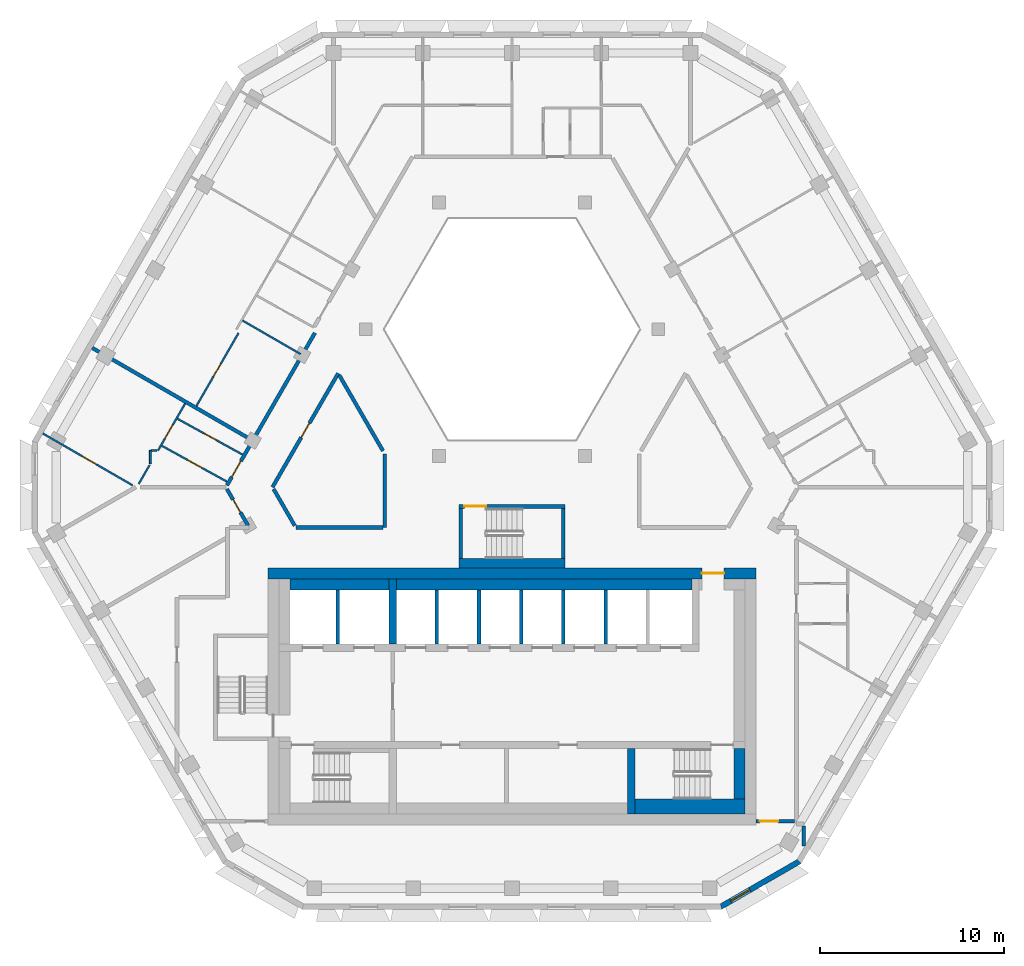
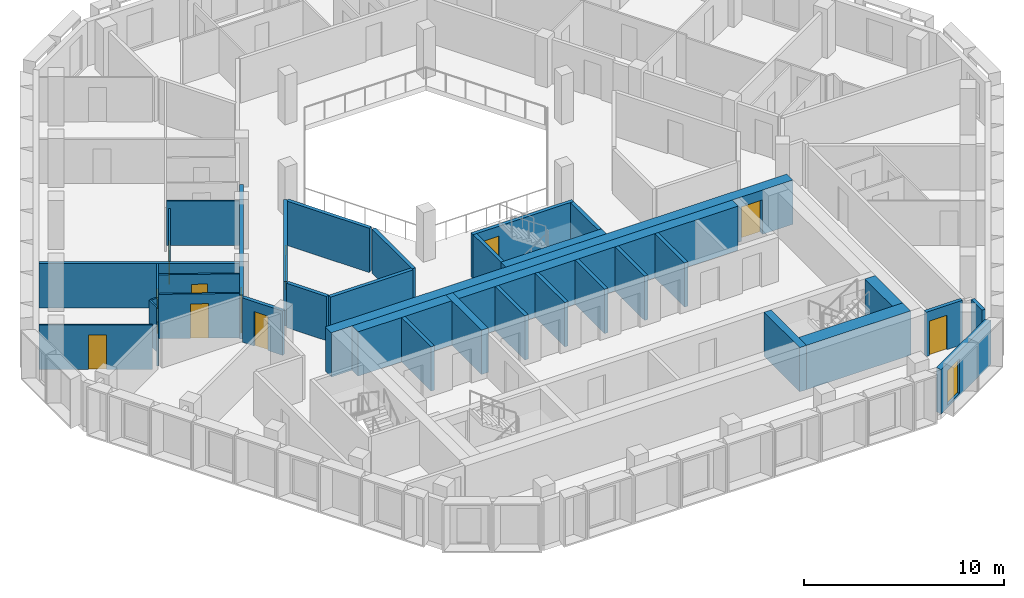
# One storey, part 4 of 14: 37 walls, 11 doors, 1 window, 12 openings.
"""IFC4 building model written with IfcOpenShell, lengths in metres."""

import ifcopenshell
import ifcopenshell.guid

model = None  # the IFC model being written
_history = None  # IfcOwnerHistory: only IFC2X3 demands one
_inside = {}  # id of a spatial element -> (the spatial element, [elements in it])
_under = {}  # id of a project, library or spatial element -> (it, [spatial elements below it])
_declared = {}  # id of a project -> (the project, [libraries it declares])
_typed = {}  # id of a type object -> (the type object, [elements of that type])
_made_of = {}  # id of a material, layer set ... -> (it, [elements and type objects made of it])


def new_model(schema):
    """Start an empty IFC model of exactly this schema.

    Asked for "IFC4X3", IfcOpenShell would pick the latest addendum, in which some entities
    have other attributes; the version numbers below select the first issue.
    IFC2X3 requires an IfcOwnerHistory on every rooted entity: one is made here for all.
    """
    global model, _history
    if schema == "IFC4X3":
        model = ifcopenshell.file(schema_version=(4, 3, 0, 0))
    else:
        model = ifcopenshell.file(schema=schema)
    _inside.clear()
    _under.clear()
    _declared.clear()
    _typed.clear()
    _made_of.clear()
    _history = None
    if model.schema == "IFC2X3":
        org = make("IfcOrganization", Name="unknown")
        user = make(
            "IfcPersonAndOrganization",
            ThePerson=make("IfcPerson", FamilyName="unknown"),
            TheOrganization=org,
        )
        app = make(
            "IfcApplication",
            ApplicationDeveloper=org,
            Version="unknown",
            ApplicationFullName="unknown",
            ApplicationIdentifier="unknown",
        )
        _history = make(
            "IfcOwnerHistory",
            OwningUser=user,
            OwningApplication=app,
            ChangeAction="ADDED",
            CreationDate=0,
        )
    return model


def make(cls, **values):
    """One entity of the class cls with the attributes given. An attribute that is None is left unset."""
    return model.create_entity(
        cls, **{name: value for name, value in values.items() if value is not None}
    )


def rooted(cls, **values):
    """An entity with a GlobalId (a new one), such as an element, a storey or a relation."""
    return make(cls, GlobalId=ifcopenshell.guid.new(), OwnerHistory=_history, **values)


def si_unit(unit_type, name, prefix=None):
    """IfcSIUnit, for example si_unit("LENGTHUNIT", "METRE", prefix="MILLI")."""
    return make("IfcSIUnit", UnitType=unit_type, Prefix=prefix, Name=name)


def assignment(units):
    """IfcUnitAssignment: the units of a project."""
    return None if units is None else make("IfcUnitAssignment", Units=units)


def point(xyz):
    """IfcCartesianPoint."""
    return None if xyz is None else make("IfcCartesianPoint", Coordinates=xyz)


def direction(xyz):
    """IfcDirection."""
    return None if xyz is None else make("IfcDirection", DirectionRatios=xyz)


def frame(location, z_axis=None, x_axis=None):
    """IfcAxis2Placement3D, a coordinate frame: its origin and axes. An axis left out is left unset."""
    return make(
        "IfcAxis2Placement3D",
        Location=point(location),
        Axis=direction(z_axis),
        RefDirection=direction(x_axis),
    )


def frame_2d(location, x_axis=None):
    """IfcAxis2Placement2D, a coordinate frame in the plane: its origin and x axis."""
    return make(
        "IfcAxis2Placement2D", Location=point(location), RefDirection=direction(x_axis)
    )


def origin():
    """The frame at (0, 0, 0) with its axes left unset."""
    return frame((0.0, 0.0, 0.0))


def place(relative_to, where):
    """IfcLocalPlacement: puts the frame where relative to a parent placement (None: the world)."""
    return make(
        "IfcLocalPlacement", PlacementRelTo=relative_to, RelativePlacement=where
    )


def context(
    kind, dimensions, precision=None, world=None, true_north=None, identifier=None
):
    """IfcGeometricRepresentationContext, for example the 3D "Model" context."""
    return make(
        "IfcGeometricRepresentationContext",
        ContextIdentifier=identifier,
        ContextType=kind,
        CoordinateSpaceDimension=dimensions,
        Precision=precision,
        WorldCoordinateSystem=world,
        TrueNorth=true_north,
    )


def subcontext(parent, identifier, kind, view, scale=None):
    """IfcGeometricRepresentationSubContext, for example "Body" below "Model"."""
    return make(
        "IfcGeometricRepresentationSubContext",
        ContextIdentifier=identifier,
        ContextType=kind,
        ParentContext=parent,
        TargetScale=scale,
        TargetView=view,
    )


def project(units=None, contexts=None):
    """IfcProject with its units and contexts."""
    return rooted(
        "IfcProject",
        Name="project",
        RepresentationContexts=contexts,
        UnitsInContext=assignment(units),
    )


def spatial(cls, under=None, at=None, **own):
    """A site, building, storey or space (cls), placed at a placement, below another one or the project."""
    s = rooted(cls, ObjectPlacement=at, **own)
    if under is not None:
        _under.setdefault(under.id(), (under, []))[1].append(s)
    return s


def polyline(points):
    """IfcPolyline through the points."""
    return make("IfcPolyline", Points=[point(p) for p in points])


def profile(cls, at=None, kind="AREA", **sizes):
    """A parametric profile (cls). Its sizes go by their IFC names, for example OverallWidth=200.0."""
    return make(cls, ProfileType=kind, Position=at, **sizes)


def rectangle(**sizes):
    """IfcRectangleProfileDef."""
    return profile("IfcRectangleProfileDef", **sizes)


def outline(outer, holes=None, kind="AREA"):
    """IfcArbitraryClosedProfileDef: a profile drawn as a closed curve; with holes, ...WithVoids."""
    if holes is None:
        return make("IfcArbitraryClosedProfileDef", ProfileType=kind, OuterCurve=outer)
    return make(
        "IfcArbitraryProfileDefWithVoids",
        ProfileType=kind,
        OuterCurve=outer,
        InnerCurves=holes,
    )


def extrude(swept, where, along, depth):
    """IfcExtrudedAreaSolid: the profile swept, set in the frame where, extruded along a direction by depth."""
    return make(
        "IfcExtrudedAreaSolid",
        SweptArea=swept,
        Position=where,
        ExtrudedDirection=direction(along),
        Depth=depth,
    )


def shape(context_of_items, identifier, shape_type, items):
    """IfcShapeRepresentation: the items that make up one representation, for example the "Body"."""
    return make(
        "IfcShapeRepresentation",
        ContextOfItems=context_of_items,
        RepresentationIdentifier=identifier,
        RepresentationType=shape_type,
        Items=items,
    )


def material(Name=None, Category=None):
    """IfcMaterial."""
    return make("IfcMaterial", Name=Name, Category=Category)


def layer(
    of_material, thickness, ventilated=None, Name=None, Category=None, Priority=None
):
    """IfcMaterialLayer: one layer of a wall or slab, of a material (None: an air gap)."""
    return make(
        "IfcMaterialLayer",
        Material=of_material,
        LayerThickness=thickness,
        IsVentilated=ventilated,
        Name=Name,
        Category=Category,
        Priority=Priority,
    )


def layer_set(layers, Name=None):
    """IfcMaterialLayerSet."""
    return make("IfcMaterialLayerSet", MaterialLayers=layers, LayerSetName=Name)


def made_of(thing, what):
    """Note that an element or type object is made of a material, layer set ...; save() writes the relation."""
    if what is not None:
        _made_of.setdefault(what.id(), (what, []))[1].append(thing)
    return thing


def type_object(cls, material=None, **own):
    """A type object (cls), such as IfcWallType, which elements share."""
    return made_of(rooted(cls, **own), material)


def element(
    cls,
    number,
    at=None,
    inside=None,
    cuts=None,
    type_object=None,
    material=None,
    context=None,
    identifier="Body",
    shape_type=None,
    held_by="IfcProductDefinitionShape",
    body=None,
    shapes=None,
    **own,
):
    """One element of the class cls, such as IfcWall. Its Tag is "e" and its number.

    at: its placement. inside: the storey or other place that contains it. cuts: it is an
    opening in that element (IfcRelVoidsElement). A single representation is given by context,
    identifier, shape_type and body (its items); several are given by shapes. held_by: the class
    of the entity that holds the representations. save() writes the other relations.
    """
    e = rooted(cls, Tag="e%d" % number, ObjectPlacement=at, **own)
    if body is not None:
        shapes = [shape(context, identifier, shape_type, body)]
    if shapes is not None:
        e.Representation = make(held_by, Representations=shapes)
    if inside is not None:
        _inside.setdefault(inside.id(), (inside, []))[1].append(e)
    if cuts is not None:
        rooted(
            "IfcRelVoidsElement", RelatingBuildingElement=cuts, RelatedOpeningElement=e
        )
    if type_object is not None:
        _typed.setdefault(type_object.id(), (type_object, []))[1].append(e)
    return made_of(e, material)


def fill(opening, filler):
    """IfcRelFillsElement: the door or window that sits in an opening."""
    return rooted(
        "IfcRelFillsElement",
        RelatingOpeningElement=opening,
        RelatedBuildingElement=filler,
    )


def aggregate(whole, parts):
    """IfcRelAggregates: a whole, such as a stair, and the parts it consists of."""
    return rooted("IfcRelAggregates", RelatingObject=whole, RelatedObjects=parts)


def save(model, path):
    """Write the relations noted so far, then the file.

    IfcRelAggregates (storeys below a building ...), IfcRelContainedInSpatialStructure (elements
    in a storey), IfcRelDefinesByType, IfcRelAssociatesMaterial and IfcRelDeclares: one each for
    every whole, place, type object, material and project.
    """
    for whole, parts in _under.values():
        aggregate(whole, parts)
    for where, things in _inside.values():
        rooted(
            "IfcRelContainedInSpatialStructure",
            RelatedElements=things,
            RelatingStructure=where,
        )
    for kind, things in _typed.values():
        rooted("IfcRelDefinesByType", RelatedObjects=things, RelatingType=kind)
    for what, things in _made_of.values():
        rooted("IfcRelAssociatesMaterial", RelatedObjects=things, RelatingMaterial=what)
    for by, libraries in _declared.values():
        rooted("IfcRelDeclares", RelatingContext=by, RelatedDefinitions=libraries)
    model.write(path)


model = new_model("IFC4")

# Units and contexts
model_context = context("Model", 3, precision=1e-05, world=origin(), true_north=direction((0.0, 1.0)))
body_context = subcontext(model_context, "Body", "Model", "MODEL_VIEW")
ifc_project = project(units=[si_unit("LENGTHUNIT", "METRE"), si_unit("AREAUNIT", "SQUARE_METRE"), si_unit("VOLUMEUNIT", "CUBIC_METRE"), si_unit("PLANEANGLEUNIT", "RADIAN"), si_unit("MASSUNIT", "GRAM", prefix="KILO")], contexts=[model_context])

# Site, building, storey
site_placement = place(None, origin())
site = spatial("IfcSite", under=ifc_project, at=site_placement, CompositionType="ELEMENT")
building_placement = place(site_placement, origin())
building = spatial("IfcBuilding", under=site, at=building_placement, Name="Beryl Residences", CompositionType="ELEMENT")
storey_placement = place(building_placement, frame((0.0, 0.0, 181.199951171875)))
storey = spatial("IfcBuildingStorey", under=building, at=storey_placement, Name="L55", CompositionType="ELEMENT", Elevation=181.199951171875)

# Wall, opening, window
ifc_material_1 = material(Name="Composite metal panel with mineral wool insulation")
ifc_layer_1 = layer(ifc_material_1, 0.300048828125)
ifc_layer_set_1 = layer_set([ifc_layer_1], Name="ES1 pale metal composite panel wall 300 mm")
wall_type_1 = type_object("IfcWallType", Name="ES1 pale metal composite panel wall 300 mm", PredefinedType="SOLIDWALL", material=ifc_layer_set_1)
wall_1_placement = place(storey_placement, frame((11.35595703125, -23.469970703125, 0.0), z_axis=(0.0, 0.0, 1.0), x_axis=(0.866022959057, 0.500004234368, 0.0)))
wall_1 = element("IfcWall", 1, at=wall_1_placement, inside=storey, type_object=wall_type_1, Name="ES1 external wall L55 S-SE", PredefinedType="SOLIDWALL", context=body_context, shape_type="SweptSolid", body=[
    extrude(outline(polyline([(0.0, -0.14990234375), (5.0, -0.14990234375), (4.919677734375, 0.14990234375), (0.080322265625, 0.14990234375), (0.0, -0.14990234375)])), origin(), (0.0, 0.0, 1.0), 2.699951171875),
])
opening_1_placement = place(wall_1_placement, frame((0.64990234375, 0.0, 0.14990234375)))
opening_1 = element("IfcOpeningElement", 2, at=opening_1_placement, cuts=wall_1, Name="Opening W2", PredefinedType="OPENING", context=body_context, shape_type="SweptSolid", body=[
    extrude(rectangle(XDim=1.199951171875, YDim=2.10009765625, at=frame_2d((0.60009765625, 1.050048828125))), frame((0.0, 0.159912109375, 0.0), z_axis=(0.0, -1.0, 0.0), x_axis=(1.0, 0.0, 0.0)), (0.0, 0.0, 1.0), 0.320068359375),
])
ifc_material_2 = material(Name="Aluminium and clear glass", Category="aluminium")
window_type = type_object("IfcWindowType", Name="W2 chamfer window 1200 x 2100 mm", PartitioningType="SINGLE_PANEL", PredefinedType="WINDOW", material=ifc_material_2)
window_placement = place(opening_1_placement, origin())
window = element("IfcWindow", 3, at=window_placement, inside=storey, type_object=window_type, Name="W2 window L55 S-SE 1", OverallHeight=2.10009765625, OverallWidth=1.199951171875, PartitioningType="SINGLE_PANEL", PredefinedType="WINDOW", context=body_context, shape_type="SweptSolid", body=[
    extrude(rectangle(XDim=1.199951171875, YDim=2.10009765625, at=frame_2d((0.60009765625, 1.050048828125))), frame((0.0, 0.030029296875, 0.0), z_axis=(0.0, -1.0, 0.0), x_axis=(1.0, 0.0, 0.0)), (0.0, 0.0, 1.0), 0.06005859375),
])
fill(opening_1, window)

# Wall, opening, door
ifc_material_3 = material(Name="Gypsum board partition on steel studs", Category="steel")
ifc_layer_2 = layer(ifc_material_3, 0.10009765625)
ifc_layer_set_2 = layer_set([ifc_layer_2], Name="PT1 partition 100 mm gypsum board on steel studs")
wall_type_2 = type_object("IfcWallType", Name="PT1 partition 100 mm gypsum board on steel studs", PredefinedType="PARTITIONING", material=ifc_layer_set_2)
wall_2_placement = place(storey_placement, frame((-18.22900390625, 3.1259765625, 0.0), z_axis=(0.0, 0.0, 1.0), x_axis=(0.876123002581, -0.482087631399, 0.0)))
wall_2 = element("IfcWall", 4, at=wall_2_placement, inside=storey, type_object=wall_type_2, Name="Wall PT1 L55 008", PredefinedType="PARTITIONING", context=body_context, shape_type="SweptSolid", body=[
    extrude(rectangle(XDim=4.05078125, YDim=0.10009765625, at=frame_2d((2.025390625, 0.0))), origin(), (0.0, 0.0, 1.0), 2.699951171875),
])
opening_2_placement = place(wall_2_placement, frame((1.64990234375, 0.0, 0.0)))
opening_2 = element("IfcOpeningElement", 5, at=opening_2_placement, cuts=wall_2, Name="Opening D1727", PredefinedType="OPENING", context=body_context, shape_type="SweptSolid", body=[
    extrude(rectangle(XDim=0.800048828125, YDim=2.10009765625, at=frame_2d((0.39990234375, 1.050048828125))), frame((0.0, 0.06005859375, 0.0), z_axis=(0.0, -1.0, 0.0), x_axis=(1.0, 0.0, 0.0)), (0.0, 0.0, 1.0), 0.1201171875),
])
ifc_material_4 = material(Name="Timber door leaf", Category="wood")
door_type_1 = type_object("IfcDoorType", Name="D3 bathroom door 800 x 2100 mm", OperationType="SINGLE_SWING_LEFT", PredefinedType="DOOR", material=ifc_material_4)
door_1_placement = place(opening_2_placement, origin())
door_1 = element("IfcDoor", 6, at=door_1_placement, inside=storey, type_object=door_type_1, Name="Door D1727 L55 001", OperationType="SINGLE_SWING_LEFT", OverallHeight=2.10009765625, OverallWidth=0.800048828125, PredefinedType="DOOR", context=body_context, shape_type="SweptSolid", body=[
    extrude(rectangle(XDim=0.800048828125, YDim=2.10009765625, at=frame_2d((0.39990234375, 1.050048828125))), frame((0.0, 0.02490234375, 0.0), z_axis=(0.0, -1.0, 0.0), x_axis=(1.0, 0.0, 0.0)), (0.0, 0.0, 1.0), 0.050048828125),
])
fill(opening_2, door_1)

wall_3_placement = place(storey_placement, frame((-19.0791015625, 1.653076171875, 0.0), z_axis=(0.0, 0.0, 1.0), x_axis=(0.876097546615, -0.482133890963, 0.0)))
wall_3 = element("IfcWall", 7, at=wall_3_placement, inside=storey, type_object=wall_type_2, Name="Wall PT1 L55 009", PredefinedType="PARTITIONING", context=body_context, shape_type="SweptSolid", body=[
    extrude(rectangle(XDim=4.051025390625, YDim=0.10009765625, at=frame_2d((2.025390625, 0.0))), origin(), (0.0, 0.0, 1.0), 2.699951171875),
])
opening_3_placement = place(wall_3_placement, frame((1.60009765625, 0.0, 0.0)))
opening_3 = element("IfcOpeningElement", 8, at=opening_3_placement, cuts=wall_3, Name="Opening D1726", PredefinedType="OPENING", context=body_context, shape_type="SweptSolid", body=[
    extrude(rectangle(XDim=0.89990234375, YDim=2.10009765625, at=frame_2d((0.449951171875, 1.050048828125))), frame((0.0, 0.06005859375, 0.0), z_axis=(0.0, -1.0, 0.0), x_axis=(1.0, 0.0, 0.0)), (0.0, 0.0, 1.0), 0.1201171875),
])
ifc_material_5 = material(Name="Timber door leaf", Category="wood")
door_type_2 = type_object("IfcDoorType", Name="D2 room door 900 x 2100 mm", OperationType="SINGLE_SWING_LEFT", PredefinedType="DOOR", material=ifc_material_5)
door_2_placement = place(opening_3_placement, origin())
door_2 = element("IfcDoor", 9, at=door_2_placement, inside=storey, type_object=door_type_2, Name="Door D1726 L55 001", OperationType="SINGLE_SWING_RIGHT", OverallHeight=2.10009765625, OverallWidth=0.89990234375, PredefinedType="DOOR", context=body_context, shape_type="SweptSolid", body=[
    extrude(rectangle(XDim=0.89990234375, YDim=2.10009765625, at=frame_2d((0.449951171875, 1.050048828125))), frame((0.0, 0.02490234375, 0.0), z_axis=(0.0, -1.0, 0.0), x_axis=(1.0, 0.0, 0.0)), (0.0, 0.0, 1.0), 0.050048828125),
])
fill(opening_3, door_2)

wall_4_placement = place(storey_placement, frame((-25.56201171875, 2.324951171875, 0.0), z_axis=(0.0, 0.0, 1.0), x_axis=(0.865998530728, -0.500046542611, 0.0)))
wall_4 = element("IfcWall", 10, at=wall_4_placement, inside=storey, type_object=wall_type_2, Name="Wall PT1 L55 012", PredefinedType="PARTITIONING", context=body_context, shape_type="SweptSolid", body=[
    extrude(rectangle(XDim=5.6513671875, YDim=0.10009765625, at=frame_2d((2.82568359375, 0.0))), origin(), (0.0, 0.0, 1.0), 2.699951171875),
])
opening_4_placement = place(wall_4_placement, frame((2.47607421875, 0.0, 0.0)))
opening_4 = element("IfcOpeningElement", 11, at=opening_4_placement, cuts=wall_4, Name="Opening D1729", PredefinedType="OPENING", context=body_context, shape_type="SweptSolid", body=[
    extrude(rectangle(XDim=0.89990234375, YDim=2.10009765625, at=frame_2d((0.449951171875, 1.050048828125))), frame((0.0, 0.06005859375, 0.0), z_axis=(0.0, -1.0, 0.0), x_axis=(1.0, 0.0, 0.0)), (0.0, 0.0, 1.0), 0.1201171875),
])
door_3_placement = place(opening_4_placement, origin())
door_3 = element("IfcDoor", 12, at=door_3_placement, inside=storey, type_object=door_type_2, Name="Door D1729 L55 001", OperationType="SINGLE_SWING_LEFT", OverallHeight=2.10009765625, OverallWidth=0.89990234375, PredefinedType="DOOR", context=body_context, shape_type="SweptSolid", body=[
    extrude(rectangle(XDim=0.89990234375, YDim=2.10009765625, at=frame_2d((0.449951171875, 1.050048828125))), frame((0.0, 0.02490234375, 0.0), z_axis=(0.0, -1.0, 0.0), x_axis=(1.0, 0.0, 0.0)), (0.0, 0.0, 1.0), 0.050048828125),
])
fill(opening_4, door_3)

# Walls
wall_5_placement = place(storey_placement, frame((-14.678955078125, 8.47509765625, 0.0), z_axis=(0.0, 0.0, 1.0), x_axis=(0.865995104784, -0.500052475737, 0.0)))
element("IfcWall", 13, at=wall_5_placement, inside=storey, type_object=wall_type_2, Name="Wall PT1 L55 013", PredefinedType="PARTITIONING", context=body_context, shape_type="SweptSolid", body=[
    extrude(rectangle(XDim=3.64990234375, YDim=0.10009765625, at=frame_2d((1.824951171875, 0.0))), origin(), (0.0, 0.0, 1.0), 2.699951171875),
])
wall_6_placement = place(storey_placement, frame((-19.64990234375, 1.39990234375, 0.0), z_axis=(0.0, 0.0, 1.0), x_axis=(1.0, 0.0, 0.0)))
element("IfcWall", 14, at=wall_6_placement, inside=storey, type_object=wall_type_2, Name="Wall PT1 L55 019", PredefinedType="PARTITIONING", context=body_context, shape_type="SweptSolid", body=[
    extrude(rectangle(XDim=0.308837890625, YDim=0.10009765625, at=frame_2d((0.154296875, 0.0))), origin(), (0.0, 0.0, 1.0), 2.699951171875),
])

# Wall, opening, door
wall_7_placement = place(storey_placement, frame((-17.19091796875, 3.823974609375, 0.0), z_axis=(0.0, 0.0, 1.0), x_axis=(0.499891250406, 0.866088181288, 0.0)))
wall_7 = element("IfcWall", 15, at=wall_7_placement, inside=storey, type_object=wall_type_2, Name="Wall PT1 L55 025", PredefinedType="PARTITIONING", context=body_context, shape_type="SweptSolid", body=[
    extrude(rectangle(XDim=4.5908203125, YDim=0.10009765625, at=frame_2d((2.29541015625, 0.0))), origin(), (0.0, 0.0, 1.0), 2.699951171875),
])
opening_5_placement = place(wall_7_placement, frame((1.844970703125, 0.0, 0.0)))
opening_5 = element("IfcOpeningElement", 16, at=opening_5_placement, cuts=wall_7, Name="Opening D1722", PredefinedType="OPENING", context=body_context, shape_type="SweptSolid", body=[
    extrude(rectangle(XDim=0.800048828125, YDim=2.10009765625, at=frame_2d((0.39990234375, 1.050048828125))), frame((0.0, 0.06005859375, 0.0), z_axis=(0.0, -1.0, 0.0), x_axis=(1.0, 0.0, 0.0)), (0.0, 0.0, 1.0), 0.1201171875),
])
door_4_placement = place(opening_5_placement, origin())
door_4 = element("IfcDoor", 17, at=door_4_placement, inside=storey, type_object=door_type_1, Name="Door D1722 L55 001", OperationType="SINGLE_SWING_RIGHT", OverallHeight=2.10009765625, OverallWidth=0.800048828125, PredefinedType="DOOR", context=body_context, shape_type="SweptSolid", body=[
    extrude(rectangle(XDim=0.800048828125, YDim=2.10009765625, at=frame_2d((0.39990234375, 1.050048828125))), frame((0.0, 0.02490234375, 0.0), z_axis=(0.0, -1.0, 0.0), x_axis=(1.0, 0.0, 0.0)), (0.0, 0.0, 1.0), 0.050048828125),
])
fill(opening_5, door_4)

# Wall
wall_8_placement = place(storey_placement, frame((-20.337890625, -0.427001953125, 0.0), z_axis=(0.0, 0.0, 1.0), x_axis=(0.500069990121, 0.865984991198, 0.0)))
element("IfcWall", 18, at=wall_8_placement, inside=storey, type_object=wall_type_2, Name="Wall PT1 L55 027", PredefinedType="PARTITIONING", context=body_context, shape_type="SweptSolid", body=[
    extrude(rectangle(XDim=1.175537109375, YDim=0.10009765625, at=frame_2d((0.587890625, 0.0))), origin(), (0.0, 0.0, 1.0), 2.699951171875),
])

# Wall, opening, door
wall_9_placement = place(storey_placement, frame((-19.282958984375, 1.39990234375, 0.0), z_axis=(0.0, 0.0, 1.0), x_axis=(0.500160189342, 0.865932898669, 0.0)))
wall_9 = element("IfcWall", 19, at=wall_9_placement, inside=storey, type_object=wall_type_2, Name="Wall PT1 L55 028", PredefinedType="PARTITIONING", context=body_context, shape_type="SweptSolid", body=[
    extrude(rectangle(XDim=2.94482421875, YDim=0.10009765625, at=frame_2d((1.472412109375, 0.0))), origin(), (0.0, 0.0, 1.0), 2.699951171875),
])
opening_6_placement = place(wall_9_placement, frame((0.720947265625, 0.0, 0.0)))
opening_6 = element("IfcOpeningElement", 20, at=opening_6_placement, cuts=wall_9, Name="Opening D1728", PredefinedType="OPENING", context=body_context, shape_type="SweptSolid", body=[
    extrude(rectangle(XDim=0.89990234375, YDim=2.10009765625, at=frame_2d((0.449951171875, 1.050048828125))), frame((0.0, 0.06005859375, 0.0), z_axis=(0.0, -1.0, 0.0), x_axis=(1.0, 0.0, 0.0)), (0.0, 0.0, 1.0), 0.1201171875),
])
door_5_placement = place(opening_6_placement, origin())
door_5 = element("IfcDoor", 21, at=door_5_placement, inside=storey, type_object=door_type_2, Name="Door D1728 L55 001", OperationType="SINGLE_SWING_RIGHT", OverallHeight=2.10009765625, OverallWidth=0.89990234375, PredefinedType="DOOR", context=body_context, shape_type="SweptSolid", body=[
    extrude(rectangle(XDim=0.89990234375, YDim=2.10009765625, at=frame_2d((0.449951171875, 1.050048828125))), frame((0.0, 0.02490234375, 0.0), z_axis=(0.0, -1.0, 0.0), x_axis=(1.0, 0.0, 0.0)), (0.0, 0.0, 1.0), 0.050048828125),
])
fill(opening_6, door_5)

# Walls
wall_10_placement = place(storey_placement, frame((-19.699951171875, 0.677978515625, 0.0), z_axis=(0.0, 0.0, 1.0), x_axis=(0.0, 1.0, 0.0)))
element("IfcWall", 22, at=wall_10_placement, inside=storey, type_object=wall_type_2, Name="Wall PT1 L55 036", PredefinedType="PARTITIONING", context=body_context, shape_type="SweptSolid", body=[
    extrude(rectangle(XDim=0.721923828125, YDim=0.10009765625, at=frame_2d((0.36083984375, 0.0))), origin(), (0.0, 0.0, 1.0), 2.699951171875),
])
ifc_material_6 = material(Name="Acoustic double stud gypsum board wall")
ifc_layer_3 = layer(ifc_material_6, 0.199951171875)
ifc_layer_set_3 = layer_set([ifc_layer_3], Name="PT3 party wall 200 mm acoustic double stud")
wall_type_3 = type_object("IfcWallType", Name="PT3 party wall 200 mm acoustic double stud", PredefinedType="PARTITIONING", material=ifc_layer_set_3)
wall_11_placement = place(storey_placement, frame((15.89990234375, -19.051025390625, 0.0), z_axis=(0.0, 0.0, 1.0), x_axis=(0.0, -1.0, 0.0)))
element("IfcWall", 23, at=wall_11_placement, inside=storey, type_object=wall_type_3, Name="Wall PT3 L55 002", PredefinedType="PARTITIONING", context=body_context, shape_type="SweptSolid", body=[
    extrude(rectangle(XDim=1.0869140625, YDim=0.199951171875, at=frame_2d((0.54345703125, 0.0))), origin(), (0.0, 0.0, 1.0), 2.699951171875),
])
wall_12_placement = place(storey_placement, frame((-22.8701171875, 6.987060546875, 0.0), z_axis=(0.0, 0.0, 1.0), x_axis=(0.866022959057, -0.500004234368, 0.0)))
element("IfcWall", 24, at=wall_12_placement, inside=storey, type_object=wall_type_3, Name="Wall PT3 L55 003", PredefinedType="PARTITIONING", context=body_context, shape_type="SweptSolid", body=[
    extrude(rectangle(XDim=10.0, YDim=0.199951171875, at=frame_2d((5.0, 0.0))), origin(), (0.0, 0.0, 1.0), 2.699951171875),
])
ifc_material_7 = material(Name="Double stud gypsum board wall")
ifc_layer_4 = layer(ifc_material_7, 0.199951171875)
ifc_layer_set_4 = layer_set([ifc_layer_4], Name="PT4 corridor wall 200 mm double stud")
wall_type_4 = type_object("IfcWallType", Name="PT4 corridor wall 200 mm double stud", PredefinedType="PARTITIONING", material=ifc_layer_set_4)
wall_13_placement = place(storey_placement, frame((-9.410888671875, 5.5, 0.0), z_axis=(0.0, 0.0, 1.0), x_axis=(0.500018099276, -0.86601495391, 0.0)))
element("IfcWall", 25, at=wall_13_placement, inside=storey, type_object=wall_type_4, Name="Wall PT4 L55 001", PredefinedType="PARTITIONING", context=body_context, shape_type="SweptSolid", body=[
    extrude(rectangle(XDim=4.765380859375, YDim=0.199951171875, at=frame_2d((2.3828125, 0.0))), origin(), (0.0, 0.0, 1.0), 2.699951171875),
])
wall_14_placement = place(storey_placement, frame((-12.989990234375, -0.700927734375, 0.0), z_axis=(0.0, 0.0, 1.0), x_axis=(0.499972710878, -0.866041158593, 0.0)))
element("IfcWall", 26, at=wall_14_placement, inside=storey, type_object=wall_type_4, Name="Wall PT4 L55 002", PredefinedType="PARTITIONING", context=body_context, shape_type="SweptSolid", body=[
    extrude(rectangle(XDim=2.308349609375, YDim=0.199951171875, at=frame_2d((1.154296875, 0.0))), origin(), (0.0, 0.0, 1.0), 2.699951171875),
])

# Wall, opening, door
wall_15_placement = place(storey_placement, frame((-15.530029296875, -0.700927734375, 0.0), z_axis=(0.0, 0.0, 1.0), x_axis=(0.499972710878, -0.866041158593, 0.0)))
wall_15 = element("IfcWall", 27, at=wall_15_placement, inside=storey, type_object=wall_type_4, Name="Wall PT4 L55 003", PredefinedType="PARTITIONING", context=body_context, shape_type="SweptSolid", body=[
    extrude(rectangle(XDim=2.308349609375, YDim=0.199951171875, at=frame_2d((1.154296875, 0.0))), origin(), (0.0, 0.0, 1.0), 2.699951171875),
])
opening_7_placement = place(wall_15_placement, frame((0.674072265625, 0.0, 0.0)))
opening_7 = element("IfcOpeningElement", 28, at=opening_7_placement, cuts=wall_15, Name="Opening D1730", PredefinedType="OPENING", context=body_context, shape_type="SweptSolid", body=[
    extrude(rectangle(XDim=0.800048828125, YDim=2.10009765625, at=frame_2d((0.39990234375, 1.050048828125))), frame((0.0, 0.10986328125, 0.0), z_axis=(0.0, -1.0, 0.0), x_axis=(1.0, 0.0, 0.0)), (0.0, 0.0, 1.0), 0.219970703125),
])
door_6_placement = place(opening_7_placement, origin())
door_6 = element("IfcDoor", 29, at=door_6_placement, inside=storey, type_object=door_type_1, Name="Door D1730 L55 001", OperationType="SINGLE_SWING_RIGHT", OverallHeight=2.10009765625, OverallWidth=0.800048828125, PredefinedType="DOOR", context=body_context, shape_type="SweptSolid", body=[
    extrude(rectangle(XDim=0.800048828125, YDim=2.10009765625, at=frame_2d((0.39990234375, 1.050048828125))), frame((0.0, 0.02490234375, 0.0), z_axis=(0.0, -1.0, 0.0), x_axis=(1.0, 0.0, 0.0)), (0.0, 0.0, 1.0), 0.050048828125),
])
fill(opening_7, door_6)

wall_16_placement = place(storey_placement, frame((13.300048828125, -18.800048828125, 0.0), z_axis=(0.0, 0.0, 1.0), x_axis=(1.0, 0.0, 0.0)))
wall_16 = element("IfcWall", 30, at=wall_16_placement, inside=storey, type_object=wall_type_4, Name="Wall PT4 L55 009", PredefinedType="PARTITIONING", context=body_context, shape_type="SweptSolid", body=[
    extrude(rectangle(XDim=2.098876953125, YDim=0.199951171875, at=frame_2d((1.04931640625, 0.0))), origin(), (0.0, 0.0, 1.0), 2.699951171875),
])
opening_8_placement = place(wall_16_placement, frame((0.199951171875, 0.0, 0.0)))
opening_8 = element("IfcOpeningElement", 31, at=opening_8_placement, cuts=wall_16, Name="Opening D1744", PredefinedType="OPENING", context=body_context, shape_type="SweptSolid", body=[
    extrude(rectangle(XDim=1.0, YDim=2.10009765625, at=frame_2d((0.5, 1.050048828125))), frame((0.0, 0.10986328125, 0.0), z_axis=(0.0, -1.0, 0.0), x_axis=(1.0, 0.0, 0.0)), (0.0, 0.0, 1.0), 0.219970703125),
])
ifc_material_8 = material(Name="Timber door leaf", Category="wood")
door_type_3 = type_object("IfcDoorType", Name="D1 flat entrance door 1000 x 2100 mm", OperationType="SINGLE_SWING_LEFT", PredefinedType="DOOR", material=ifc_material_8)
door_7_placement = place(opening_8_placement, origin())
door_7 = element("IfcDoor", 32, at=door_7_placement, inside=storey, type_object=door_type_3, Name="Door D1744 L55 001", OperationType="SINGLE_SWING_LEFT", OverallHeight=2.10009765625, OverallWidth=1.0, PredefinedType="DOOR", context=body_context, shape_type="SweptSolid", body=[
    extrude(rectangle(XDim=1.0, YDim=2.10009765625, at=frame_2d((0.5, 1.050048828125))), frame((0.0, 0.02490234375, 0.0), z_axis=(0.0, -1.0, 0.0), x_axis=(1.0, 0.0, 0.0)), (0.0, 0.0, 1.0), 0.050048828125),
])
fill(opening_8, door_7)

# Wall
wall_17_placement = place(storey_placement, frame((-11.778076171875, -2.800048828125, 0.0), z_axis=(0.0, 0.0, 1.0), x_axis=(1.0, 0.0, 0.0)))
element("IfcWall", 33, at=wall_17_placement, inside=storey, type_object=wall_type_4, Name="Wall PT4 L55 011", PredefinedType="PARTITIONING", context=body_context, shape_type="SweptSolid", body=[
    extrude(rectangle(XDim=4.75, YDim=0.199951171875, at=frame_2d((2.375, 0.0))), origin(), (0.0, 0.0, 1.0), 2.699951171875),
])

# Wall, opening, door
wall_18_placement = place(storey_placement, frame((-13.048095703125, -0.60107421875, 0.0), z_axis=(0.0, 0.0, 1.0), x_axis=(0.499982180423, 0.866035691677, 0.0)))
wall_18 = element("IfcWall", 34, at=wall_18_placement, inside=storey, type_object=wall_type_4, Name="Wall PT4 L55 018", PredefinedType="PARTITIONING", context=body_context, shape_type="SweptSolid", body=[
    extrude(rectangle(XDim=7.160400390625, YDim=0.199951171875, at=frame_2d((3.580078125, 0.0))), origin(), (0.0, 0.0, 1.0), 2.699951171875),
])
opening_9_placement = place(wall_18_placement, frame((3.1298828125, 0.0, 0.0)))
opening_9 = element("IfcOpeningElement", 35, at=opening_9_placement, cuts=wall_18, Name="Opening D1742", PredefinedType="OPENING", context=body_context, shape_type="SweptSolid", body=[
    extrude(rectangle(XDim=0.89990234375, YDim=2.10009765625, at=frame_2d((0.449951171875, 1.050048828125))), frame((0.0, 0.10986328125, 0.0), z_axis=(0.0, -1.0, 0.0), x_axis=(1.0, 0.0, 0.0)), (0.0, 0.0, 1.0), 0.219970703125),
])
door_8_placement = place(opening_9_placement, origin())
door_8 = element("IfcDoor", 36, at=door_8_placement, inside=storey, type_object=door_type_2, Name="Door D1742 L55 001", OperationType="SINGLE_SWING_RIGHT", OverallHeight=2.10009765625, OverallWidth=0.89990234375, PredefinedType="DOOR", context=body_context, shape_type="SweptSolid", body=[
    extrude(rectangle(XDim=0.89990234375, YDim=2.10009765625, at=frame_2d((0.449951171875, 1.050048828125))), frame((0.0, 0.02490234375, 0.0), z_axis=(0.0, -1.0, 0.0), x_axis=(1.0, 0.0, 0.0)), (0.0, 0.0, 1.0), 0.050048828125),
])
fill(opening_9, door_8)

wall_19_placement = place(storey_placement, frame((-15.530029296875, -0.5009765625, 0.0), z_axis=(0.0, 0.0, 1.0), x_axis=(0.499952498232, 0.866052827206, 0.0)))
wall_19 = element("IfcWall", 37, at=wall_19_placement, inside=storey, type_object=wall_type_4, Name="Wall PT4 L55 019", PredefinedType="PARTITIONING", context=body_context, shape_type="SweptSolid", body=[
    extrude(rectangle(XDim=9.5849609375, YDim=0.199951171875, at=frame_2d((4.79248046875, 0.0))), origin(), (0.0, 0.0, 1.0), 2.699951171875),
])
opening_10_placement = place(wall_19_placement, frame((0.52490234375, 0.0, 0.0)))
opening_10 = element("IfcOpeningElement", 38, at=opening_10_placement, cuts=wall_19, Name="Opening D1725", PredefinedType="OPENING", context=body_context, shape_type="SweptSolid", body=[
    extrude(rectangle(XDim=1.0, YDim=2.10009765625, at=frame_2d((0.5, 1.050048828125))), frame((0.0, 0.10986328125, 0.0), z_axis=(0.0, -1.0, 0.0), x_axis=(1.0, 0.0, 0.0)), (0.0, 0.0, 1.0), 0.219970703125),
])
door_9_placement = place(opening_10_placement, origin())
door_9 = element("IfcDoor", 39, at=door_9_placement, inside=storey, type_object=door_type_3, Name="Door D1725 L55 001", OperationType="SINGLE_SWING_LEFT", OverallHeight=2.10009765625, OverallWidth=1.0, PredefinedType="DOOR", context=body_context, shape_type="SweptSolid", body=[
    extrude(rectangle(XDim=1.0, YDim=2.10009765625, at=frame_2d((0.5, 1.050048828125))), frame((0.0, 0.02490234375, 0.0), z_axis=(0.0, -1.0, 0.0), x_axis=(1.0, 0.0, 0.0)), (0.0, 0.0, 1.0), 0.050048828125),
])
fill(opening_10, door_9)

# Wall
wall_20_placement = place(storey_placement, frame((-6.927978515625, -2.800048828125, 0.0), z_axis=(0.0, 0.0, 1.0), x_axis=(0.0, 1.0, 0.0)))
element("IfcWall", 40, at=wall_20_placement, inside=storey, type_object=wall_type_4, Name="Wall PT4 L55 023", PredefinedType="PARTITIONING", context=body_context, shape_type="SweptSolid", body=[
    extrude(rectangle(XDim=4.0, YDim=0.199951171875, at=frame_2d((2.0, 0.0))), origin(), (0.0, 0.0, 1.0), 2.699951171875),
])

# Wall, opening, door
ifc_material_9 = material(Name="Concrete C40/50", Category="concrete")
ifc_layer_5 = layer(ifc_material_9, 0.199951171875)
ifc_layer_set_5 = layer_set([ifc_layer_5], Name="PT5 stair enclosure wall 200 mm reinforced concrete C40/50")
wall_type_5 = type_object("IfcWallType", Name="PT5 stair enclosure wall 200 mm reinforced concrete C40/50", PredefinedType="SOLIDWALL", material=ifc_layer_set_5)
wall_21_placement = place(storey_placement, frame((-2.89990234375, -1.64990234375, 0.0), z_axis=(0.0, 0.0, 1.0), x_axis=(1.0, 0.0, 0.0)))
wall_21 = element("IfcWall", 41, at=wall_21_placement, inside=storey, type_object=wall_type_5, Name="Wall PT5 L55 001", PredefinedType="SOLIDWALL", context=body_context, shape_type="SweptSolid", body=[
    extrude(rectangle(XDim=5.7998046875, YDim=0.199951171875, at=frame_2d((2.89990234375, 0.0))), origin(), (0.0, 0.0, 1.0), 2.699951171875),
])
opening_11_placement = place(wall_21_placement, frame((0.300048828125, 0.0, 0.0)))
opening_11 = element("IfcOpeningElement", 42, at=opening_11_placement, cuts=wall_21, Name="Opening DS04", PredefinedType="OPENING", context=body_context, shape_type="SweptSolid", body=[
    extrude(rectangle(XDim=1.199951171875, YDim=2.10009765625, at=frame_2d((0.60009765625, 1.050048828125))), frame((0.0, 0.10986328125, 0.0), z_axis=(0.0, -1.0, 0.0), x_axis=(1.0, 0.0, 0.0)), (0.0, 0.0, 1.0), 0.219970703125),
])
ifc_material_10 = material(Name="Steel door leaf in steel frame", Category="steel")
door_type_4 = type_object("IfcDoorType", Name="D4 stair door 1200 x 2100 mm", OperationType="SINGLE_SWING_LEFT", PredefinedType="DOOR", material=ifc_material_10)
door_10_placement = place(opening_11_placement, origin())
door_10 = element("IfcDoor", 43, at=door_10_placement, inside=storey, type_object=door_type_4, Name="Door DS04 L55 001", OperationType="SINGLE_SWING_LEFT", OverallHeight=2.10009765625, OverallWidth=1.199951171875, PredefinedType="DOOR", context=body_context, shape_type="SweptSolid", body=[
    extrude(rectangle(XDim=1.199951171875, YDim=2.10009765625, at=frame_2d((0.60009765625, 1.050048828125))), frame((0.0, 0.02490234375, 0.0), z_axis=(0.0, -1.0, 0.0), x_axis=(1.0, 0.0, 0.0)), (0.0, 0.0, 1.0), 0.050048828125),
])
fill(opening_11, door_10)

# Walls
for number, where, z_axis, x_axis, name in (
    (44, (-2.800048828125, -4.5, 0.0), (0.0, 0.0, 1.0), (0.0, 1.0, 0.0), "Wall PT5 L55 002"),
    (45, (2.800048828125, -4.5, 0.0), (0.0, 0.0, 1.0), (0.0, 1.0, 0.0), "Wall PT5 L55 003"),
):
    element("IfcWall", number, at=place(storey_placement, frame(where, z_axis=z_axis, x_axis=x_axis)), inside=storey, type_object=wall_type_5, Name=name, PredefinedType="SOLIDWALL", context=body_context, shape_type="SweptSolid", body=[
        extrude(rectangle(XDim=2.75, YDim=0.199951171875, at=frame_2d((1.375, 0.0))), origin(), (0.0, 0.0, 1.0), 2.699951171875),
    ])
ifc_material_11 = material(Name="Concrete C40/50", Category="concrete")
ifc_layer_6 = layer(ifc_material_11, 0.5)
ifc_layer_set_6 = layer_set([ifc_layer_6], Name="PT5-500 stair enclosure wall 500 mm")
wall_type_6 = type_object("IfcWallType", Name="PT5-500 stair enclosure wall 500 mm", PredefinedType="SOLIDWALL", material=ifc_layer_set_6)
wall_22_placement = place(storey_placement, frame((-2.89990234375, -4.75, 0.0), z_axis=(0.0, 0.0, 1.0), x_axis=(1.0, 0.0, 0.0)))
element("IfcWall", 46, at=wall_22_placement, inside=storey, type_object=wall_type_6, Name="Wall PT5-500 L55 001", PredefinedType="SOLIDWALL", context=body_context, shape_type="SweptSolid", body=[
    extrude(rectangle(XDim=5.7998046875, YDim=0.5, at=frame_2d((2.89990234375, 0.0))), origin(), (0.0, 0.0, 1.0), 2.699951171875),
])
ifc_material_12 = material(Name="Concrete C40/50", Category="concrete")
ifc_layer_7 = layer(ifc_material_12, 0.60009765625)
ifc_layer_set_7 = layer_set([ifc_layer_7], Name="PT5-600 stair enclosure wall 600 mm")
wall_type_7 = type_object("IfcWallType", Name="PT5-600 stair enclosure wall 600 mm", PredefinedType="SOLIDWALL", material=ifc_layer_set_7)
wall_23_placement = place(storey_placement, frame((12.39990234375, -17.60009765625, 0.0), z_axis=(0.0, 0.0, 1.0), x_axis=(0.0, 1.0, 0.0)))
element("IfcWall", 47, at=wall_23_placement, inside=storey, type_object=wall_type_7, Name="Stair wall 25", PredefinedType="SOLIDWALL", context=body_context, shape_type="SweptSolid", body=[
    extrude(rectangle(XDim=2.75, YDim=0.60009765625, at=frame_2d((1.375, 0.0))), origin(), (0.0, 0.0, 1.0), 2.699951171875),
])
ifc_material_13 = material(Name="Concrete C40/50", Category="concrete")
ifc_layer_8 = layer(ifc_material_13, 0.800048828125)
ifc_layer_set_8 = layer_set([ifc_layer_8], Name="PT5-800 stair enclosure wall 800 mm")
wall_type_8 = type_object("IfcWallType", Name="PT5-800 stair enclosure wall 800 mm", PredefinedType="SOLIDWALL", material=ifc_layer_set_8)
wall_24_placement = place(storey_placement, frame((6.699951171875, -18.0, 0.0), z_axis=(0.0, 0.0, 1.0), x_axis=(1.0, 0.0, 0.0)))
element("IfcWall", 48, at=wall_24_placement, inside=storey, type_object=wall_type_8, Name="Stair wall 21", PredefinedType="SOLIDWALL", context=body_context, shape_type="SweptSolid", body=[
    extrude(rectangle(XDim=6.0, YDim=0.800048828125, at=frame_2d((3.0, 0.0))), origin(), (0.0, 0.0, 1.0), 2.699951171875),
])
ifc_material_14 = material(Name="Concrete C40/50", Category="concrete")
ifc_layer_9 = layer(ifc_material_14, 0.199951171875)
ifc_layer_set_9 = layer_set([ifc_layer_9], Name="PT6 lift shaft wall 200 mm reinforced concrete C40/50")
wall_type_9 = type_object("IfcWallType", Name="PT6 lift shaft wall 200 mm reinforced concrete C40/50", PredefinedType="SOLIDWALL", material=ifc_layer_set_9)
for number, where, z_axis, x_axis, name in (
    (49, (-9.5, -9.14990234375, 0.0), (0.0, 0.0, 1.0), (0.0, 1.0, 0.0), "Lift shaft wall 11"),
    (50, (-4.10009765625, -9.14990234375, 0.0), (0.0, 0.0, 1.0), (0.0, 1.0, 0.0), "Lift shaft wall 15"),
    (51, (-1.800048828125, -9.14990234375, 0.0), (0.0, 0.0, 1.0), (0.0, 1.0, 0.0), "Lift shaft wall 16"),
    (52, (0.5, -9.14990234375, 0.0), (0.0, 0.0, 1.0), (0.0, 1.0, 0.0), "Lift shaft wall 18"),
    (53, (2.800048828125, -9.14990234375, 0.0), (0.0, 0.0, 1.0), (0.0, 1.0, 0.0), "Lift shaft wall 19"),
    (54, (5.10009765625, -9.14990234375, 0.0), (0.0, 0.0, 1.0), (0.0, 1.0, 0.0), "Lift shaft wall 20"),
):
    element("IfcWall", number, at=place(storey_placement, frame(where, z_axis=z_axis, x_axis=x_axis)), inside=storey, type_object=wall_type_9, Name=name, PredefinedType="SOLIDWALL", context=body_context, shape_type="SweptSolid", body=[
        extrude(rectangle(XDim=2.949951171875, YDim=0.199951171875, at=frame_2d((1.47509765625, 0.0))), origin(), (0.0, 0.0, 1.0), 2.699951171875),
    ])
ifc_material_15 = material(Name="Concrete C40/50", Category="concrete")
ifc_layer_10 = layer(ifc_material_15, 0.60009765625)
ifc_layer_set_10 = layer_set([ifc_layer_10], Name="PT6-600 lift shaft wall 600 mm")
wall_type_10 = type_object("IfcWallType", Name="PT6-600 lift shaft wall 600 mm", PredefinedType="SOLIDWALL", material=ifc_layer_set_10)
wall_25_placement = place(storey_placement, frame((-12.10009765625, -5.89990234375, 0.0), z_axis=(0.0, 0.0, 1.0), x_axis=(1.0, 0.0, 0.0)))
element("IfcWall", 55, at=wall_25_placement, inside=storey, type_object=wall_type_10, Name="Lift shaft wall 09", PredefinedType="SOLIDWALL", context=body_context, shape_type="SweptSolid", body=[
    extrude(rectangle(XDim=5.400146484375, YDim=0.60009765625, at=frame_2d((2.7001953125, 0.0))), origin(), (0.0, 0.0, 1.0), 2.699951171875),
])
wall_26_placement = place(storey_placement, frame((-6.300048828125, -5.89990234375, 0.0), z_axis=(0.0, 0.0, 1.0), x_axis=(1.0, 0.0, 0.0)))
element("IfcWall", 56, at=wall_26_placement, inside=storey, type_object=wall_type_10, Name="Lift shaft wall 14", PredefinedType="SOLIDWALL", context=body_context, shape_type="SweptSolid", body=[
    extrude(rectangle(XDim=16.10009765625, YDim=0.60009765625, at=frame_2d((8.050048828125, 0.0))), origin(), (0.0, 0.0, 1.0), 2.699951171875),
])

# Wall, opening, door
ifc_material_16 = material(Name="Concrete C50/60", Category="concrete")
ifc_layer_11 = layer(ifc_material_16, 0.60009765625)
ifc_layer_set_11 = layer_set([ifc_layer_11], Name="SW4 core outer wall 600 mm C50/60")
wall_type_11 = type_object("IfcWallType", Name="SW4 core outer wall 600 mm C50/60", PredefinedType="SHEAR", material=ifc_layer_set_11)
wall_27_placement = place(storey_placement, frame((-13.300048828125, -5.300048828125, 0.0), z_axis=(0.0, 0.0, 1.0), x_axis=(1.0, 0.0, 0.0)))
wall_27 = element("IfcWall", 57, at=wall_27_placement, inside=storey, type_object=wall_type_11, Name="Core wall N L55", PredefinedType="SHEAR", context=body_context, shape_type="SweptSolid", body=[
    extrude(rectangle(XDim=26.60009765625, YDim=0.60009765625, at=frame_2d((13.300048828125, 0.0))), origin(), (0.0, 0.0, 1.0), 2.699951171875),
])
opening_12_placement = place(wall_27_placement, frame((23.64990234375, 0.0, 0.0)))
opening_12 = element("IfcOpeningElement", 58, at=opening_12_placement, cuts=wall_27, Name="Opening FD-NORTH", PredefinedType="OPENING", context=body_context, shape_type="SweptSolid", body=[
    extrude(rectangle(XDim=1.199951171875, YDim=2.10009765625, at=frame_2d((0.60009765625, 1.050048828125))), frame((0.0, 0.31005859375, 0.0), z_axis=(0.0, -1.0, 0.0), x_axis=(1.0, 0.0, 0.0)), (0.0, 0.0, 1.0), 0.6201171875),
])
ifc_material_17 = material(Name="Steel door leaf in steel frame", Category="steel")
door_type_5 = type_object("IfcDoorType", Name="D22 lobby door 1200 x 2100 mm", OperationType="DOUBLE_DOOR_SINGLE_SWING", PredefinedType="DOOR", material=ifc_material_17)
door_11_placement = place(opening_12_placement, origin())
door_11 = element("IfcDoor", 59, at=door_11_placement, inside=storey, type_object=door_type_5, Name="Door FD-NORTH L55 001", OperationType="DOUBLE_DOOR_SINGLE_SWING", OverallHeight=2.10009765625, OverallWidth=1.199951171875, PredefinedType="DOOR", context=body_context, shape_type="SweptSolid", body=[
    extrude(rectangle(XDim=1.199951171875, YDim=2.10009765625, at=frame_2d((0.60009765625, 1.050048828125))), frame((0.0, 0.02490234375, 0.0), z_axis=(0.0, -1.0, 0.0), x_axis=(1.0, 0.0, 0.0)), (0.0, 0.0, 1.0), 0.050048828125),
])
fill(opening_12, door_11)

# Walls
ifc_material_18 = material(Name="Concrete C50/60", Category="concrete")
ifc_layer_12 = layer(ifc_material_18, 0.39990234375)
ifc_layer_set_12 = layer_set([ifc_layer_12], Name="SW9 core internal wall 400 mm C50/60")
wall_type_12 = type_object("IfcWallType", Name="SW9 core internal wall 400 mm C50/60", PredefinedType="SHEAR", material=ifc_layer_set_12)
for number, where, z_axis, x_axis, name in (
    (60, (6.5, -18.39990234375, 0.0), (0.0, 0.0, 1.0), (0.0, 1.0, 0.0), "Core wall XS2 L55"),
    (61, (-6.5, -9.14990234375, 0.0), (0.0, 0.0, 1.0), (0.0, 1.0, 0.0), "Core wall XN1 L55"),
):
    element("IfcWall", number, at=place(storey_placement, frame(where, z_axis=z_axis, x_axis=x_axis)), inside=storey, type_object=wall_type_12, Name=name, PredefinedType="SHEAR", context=body_context, shape_type="SweptSolid", body=[
        extrude(rectangle(XDim=3.5498046875, YDim=0.39990234375, at=frame_2d((1.77490234375, 0.0))), origin(), (0.0, 0.0, 1.0), 2.699951171875),
    ])

save(model, "model.ifc")
